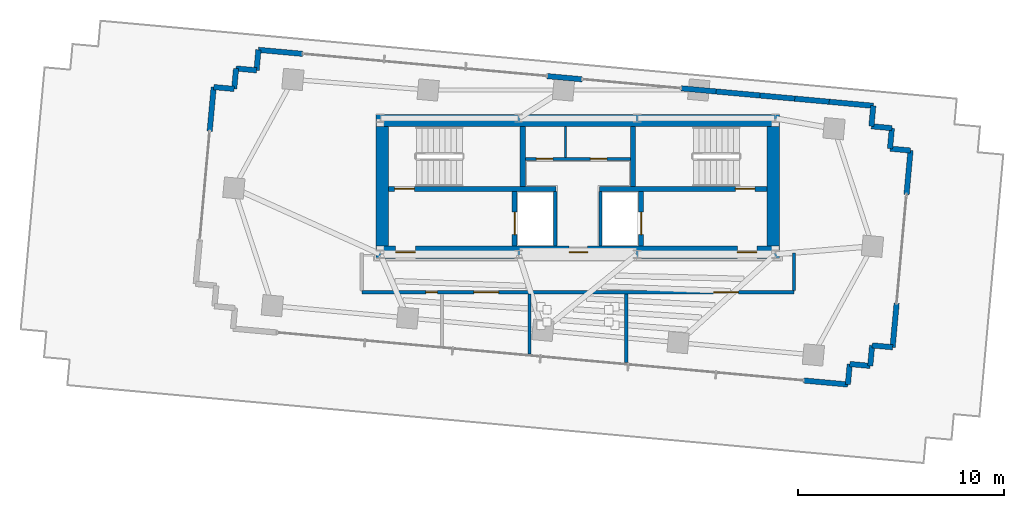
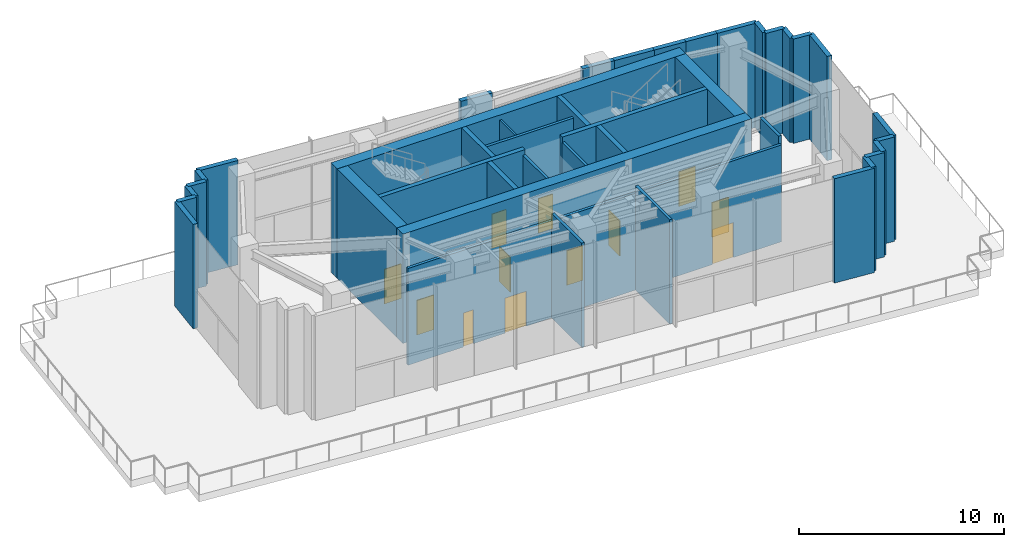
# One storey, part 12 of 18: 41 walls, 12 doors, 12 openings.
"""IFC4 building model written with IfcOpenShell, lengths in metres."""

from ifc_helpers import new_model, si_unit, direction, frame, frame_2d, origin, place, context, subcontext, project, spatial, rectangle, extrude, source, transform, mapped, material, layer, layer_set, type_object, type_shapes, element, fill, save


model = new_model("IFC4")

# Units and contexts
model_context = context("Model", 3, precision=1e-05, world=origin(), true_north=direction((0.0, 1.0)))
body_context = subcontext(model_context, "Body", "Model", "MODEL_VIEW")
ifc_project = project(units=[si_unit("LENGTHUNIT", "METRE"), si_unit("AREAUNIT", "SQUARE_METRE"), si_unit("VOLUMEUNIT", "CUBIC_METRE"), si_unit("PLANEANGLEUNIT", "RADIAN"), si_unit("MASSUNIT", "GRAM", prefix="KILO")], contexts=[model_context])

# Site, building, storey
site_placement = place(None, origin())
site = spatial("IfcSite", under=ifc_project, at=site_placement, CompositionType="ELEMENT")
building_placement = place(site_placement, origin())
building = spatial("IfcBuilding", under=site, at=building_placement, Name="Astriad Promenade Condominiums", CompositionType="ELEMENT")
storey_placement = place(building_placement, frame((0.0, 0.0, 264.300048828125)))
storey = spatial("IfcBuildingStorey", under=building, at=storey_placement, Name="L76", CompositionType="ELEMENT", Elevation=264.300048828125)

# Wall, openings, doors
ifc_material_1 = material(Name="Concrete C50/60", Category="concrete")
ifc_layer_1 = layer(ifc_material_1, 0.60009765625)
ifc_layer_set_1 = layer_set([ifc_layer_1], Name="Concrete C50/60")
wall_type_1 = type_object("IfcWallType", Name="CW-SHEAR-600", PredefinedType="SHEAR", material=ifc_layer_set_1)
wall_1_placement = place(storey_placement, frame((26.199951171875, 17.5, 0.0), z_axis=(0.0, 0.0, 1.0), x_axis=(1.0, 0.0, 0.0)))
wall_1 = element("IfcWall", 1, at=wall_1_placement, inside=storey, type_object=wall_type_1, Name="CW-CORE-S-L76", PredefinedType="SHEAR", context=body_context, shape_type="SweptSolid", body=[
    extrude(rectangle(XDim=19.60009765625, YDim=0.60009765625, at=frame_2d((9.800048828125, 0.0))), origin(), (0.0, 0.0, 1.0), 6.5),
])
opening_1_placement = place(wall_1_placement, frame((0.949951171875, 0.0, 0.0)))
opening_1 = element("IfcOpeningElement", 2, at=opening_1_placement, cuts=wall_1, Name="Opening FD90-ST-095", PredefinedType="OPENING", context=body_context, shape_type="SweptSolid", body=[
    extrude(rectangle(XDim=0.949951171875, YDim=2.06005859375, at=frame_2d((0.47509765625, 1.030029296875))), frame((0.0, 0.31005859375, 0.0), z_axis=(0.0, -1.0, 0.0), x_axis=(1.0, 0.0, 0.0)), (0.0, 0.0, 1.0), 0.6201171875),
])
opening_2_placement = place(wall_1_placement, frame((9.3798828125, 0.0, 0.0)))
opening_2 = element("IfcOpeningElement", 3, at=opening_2_placement, cuts=wall_1, Name="Opening FD60-CSL-090", PredefinedType="OPENING", context=body_context, shape_type="SweptSolid", body=[
    extrude(rectangle(XDim=0.89990234375, YDim=2.06005859375, at=frame_2d((0.449951171875, 1.030029296875))), frame((0.0, 0.31005859375, 0.0), z_axis=(0.0, -1.0, 0.0), x_axis=(1.0, 0.0, 0.0)), (0.0, 0.0, 1.0), 0.6201171875),
])
opening_3_placement = place(wall_1_placement, frame((17.550048828125, 0.0, 0.0)))
opening_3 = element("IfcOpeningElement", 4, at=opening_3_placement, cuts=wall_1, Name="Opening FD90-ST-095", PredefinedType="OPENING", context=body_context, shape_type="SweptSolid", body=[
    extrude(rectangle(XDim=0.949951171875, YDim=2.06005859375, at=frame_2d((0.47509765625, 1.030029296875))), frame((0.0, 0.31005859375, 0.0), z_axis=(0.0, -1.0, 0.0), x_axis=(1.0, 0.0, 0.0)), (0.0, 0.0, 1.0), 0.6201171875),
])
ifc_material_2 = material(Name="Fire-Rated Hollow Metal Stair Door")
door_type_1 = type_object("IfcDoorType", Name="FD90-ST-095", OperationType="NOTDEFINED", PredefinedType="DOOR", material=ifc_material_2)
shared_shape_1 = source(origin(), body_context, "Body", "SweptSolid", [
    extrude(rectangle(XDim=0.949951171875, YDim=2.06005859375, at=frame_2d((0.47509765625, 1.030029296875))), frame((0.0, 0.02490234375, 0.0), z_axis=(0.0, -1.0, 0.0), x_axis=(1.0, 0.0, 0.0)), (0.0, 0.0, 1.0), 0.050048828125),
])
type_shapes(door_type_1, [shared_shape_1])
door_1_placement = place(opening_1_placement, origin())
door_1 = element("IfcDoor", 5, at=door_1_placement, inside=storey, type_object=door_type_1, Name="D-FFW-L76", OperationType="SINGLE_SWING_LEFT", OverallHeight=2.06005859375, OverallWidth=0.949951171875, PredefinedType="DOOR", context=body_context, shape_type="MappedRepresentation", body=[
    mapped(shared_shape_1, transform((0.0, 0.0, 0.0), scale=1.0)),
])
fill(opening_1, door_1)
door_2_placement = place(opening_3_placement, origin())
door_2 = element("IfcDoor", 6, at=door_2_placement, inside=storey, type_object=door_type_1, Name="D-FFE-L76", OperationType="SINGLE_SWING_RIGHT", OverallHeight=2.06005859375, OverallWidth=0.949951171875, PredefinedType="DOOR", context=body_context, shape_type="MappedRepresentation", body=[
    mapped(shared_shape_1, transform((0.0, 0.0, 0.0), scale=1.0)),
])
fill(opening_3, door_2)
ifc_material_3 = material(Name="Fire-Rated Service Lobby Door")
door_type_2 = type_object("IfcDoorType", Name="FD60-CSL-090", OperationType="NOTDEFINED", PredefinedType="DOOR", material=ifc_material_3)
shared_shape_2 = source(origin(), body_context, "Body", "SweptSolid", [
    extrude(rectangle(XDim=0.89990234375, YDim=2.06005859375, at=frame_2d((0.449951171875, 1.030029296875))), frame((0.0, 0.02490234375, 0.0), z_axis=(0.0, -1.0, 0.0), x_axis=(1.0, 0.0, 0.0)), (0.0, 0.0, 1.0), 0.050048828125),
])
type_shapes(door_type_2, [shared_shape_2])
door_3_placement = place(opening_2_placement, origin())
door_3 = element("IfcDoor", 7, at=door_3_placement, inside=storey, type_object=door_type_2, Name="D-CSL-L76", OperationType="SINGLE_SWING_RIGHT", OverallHeight=2.06005859375, OverallWidth=0.89990234375, PredefinedType="DOOR", context=body_context, shape_type="MappedRepresentation", body=[
    mapped(shared_shape_2, transform((0.0, 0.0, 0.0), scale=1.0)),
])
fill(opening_2, door_3)

# Walls
wall_2_placement = place(storey_placement, frame((26.199951171875, 23.89990234375, 0.0), z_axis=(0.0, 0.0, 1.0), x_axis=(1.0, 0.0, 0.0)))
element("IfcWall", 8, at=wall_2_placement, inside=storey, type_object=wall_type_1, Name="CW-CORE-N-L76", PredefinedType="SHEAR", context=body_context, shape_type="SweptSolid", body=[
    extrude(rectangle(XDim=19.60009765625, YDim=0.60009765625, at=frame_2d((9.800048828125, 0.0))), origin(), (0.0, 0.0, 1.0), 6.5),
])
for number, where, z_axis, x_axis, name in (
    (9, (26.5, 17.802001953125, 0.0), (0.0, 0.0, 1.0), (0.0, 1.0, 0.0), "CW-CORE-W-L76"),
    (10, (45.5, 17.802001953125, 0.0), (0.0, 0.0, 1.0), (0.0, 1.0, 0.0), "CW-CORE-E-L76"),
):
    element("IfcWall", number, at=place(storey_placement, frame(where, z_axis=z_axis, x_axis=x_axis)), inside=storey, type_object=wall_type_1, Name=name, PredefinedType="SHEAR", context=body_context, shape_type="SweptSolid", body=[
        extrude(rectangle(XDim=5.7958984375, YDim=0.60009765625, at=frame_2d((2.89794921875, 0.0))), origin(), (0.0, 0.0, 1.0), 6.5),
    ])

# Wall, opening, door
ifc_layer_2 = layer(ifc_material_1, 0.25)
ifc_layer_set_2 = layer_set([ifc_layer_2], Name="Concrete C50/60")
wall_type_2 = type_object("IfcWallType", Name="WALL-CORE-INT-250", PredefinedType="SOLIDWALL", material=ifc_layer_set_2)
wall_3_placement = place(storey_placement, frame((26.802001953125, 20.574951171875, 0.0), z_axis=(0.0, 0.0, 1.0), x_axis=(1.0, 0.0, 0.0)))
wall_3 = element("IfcWall", 11, at=wall_3_placement, inside=storey, type_object=wall_type_2, Name="CW-INT-H1-L76", PredefinedType="SOLIDWALL", context=body_context, shape_type="SweptSolid", body=[
    extrude(rectangle(XDim=8.14794921875, YDim=0.25, at=frame_2d((4.073974609375, 0.0))), origin(), (0.0, 0.0, 1.0), 6.5),
])
opening_4_placement = place(wall_3_placement, frame((0.298095703125, 0.0, 0.0)))
opening_4 = element("IfcOpeningElement", 12, at=opening_4_placement, cuts=wall_3, Name="Opening FD90-ST-095", PredefinedType="OPENING", context=body_context, shape_type="SweptSolid", body=[
    extrude(rectangle(XDim=0.949951171875, YDim=2.06005859375, at=frame_2d((0.47509765625, 1.030029296875))), frame((0.0, 0.135009765625, 0.0), z_axis=(0.0, -1.0, 0.0), x_axis=(1.0, 0.0, 0.0)), (0.0, 0.0, 1.0), 0.27001953125),
])
door_4_placement = place(opening_4_placement, origin())
door_4 = element("IfcDoor", 13, at=door_4_placement, inside=storey, type_object=door_type_1, Name="D-ST1-L76", OperationType="SINGLE_SWING_LEFT", OverallHeight=2.06005859375, OverallWidth=0.949951171875, PredefinedType="DOOR", context=body_context, shape_type="MappedRepresentation", body=[
    mapped(shared_shape_1, transform((0.0, 0.0, 0.0), scale=1.0)),
])
fill(opening_4, door_4)

wall_4_placement = place(storey_placement, frame((37.050048828125, 20.574951171875, 0.0), z_axis=(0.0, 0.0, 1.0), x_axis=(1.0, 0.0, 0.0)))
wall_4 = element("IfcWall", 14, at=wall_4_placement, inside=storey, type_object=wall_type_2, Name="CW-INT-H2-L76", PredefinedType="SOLIDWALL", context=body_context, shape_type="SweptSolid", body=[
    extrude(rectangle(XDim=8.14794921875, YDim=0.25, at=frame_2d((4.073974609375, 0.0))), origin(), (0.0, 0.0, 1.0), 6.5),
])
opening_5_placement = place(wall_4_placement, frame((6.60009765625, 0.0, 0.0)))
opening_5 = element("IfcOpeningElement", 15, at=opening_5_placement, cuts=wall_4, Name="Opening FD90-ST-095", PredefinedType="OPENING", context=body_context, shape_type="SweptSolid", body=[
    extrude(rectangle(XDim=0.949951171875, YDim=2.06005859375, at=frame_2d((0.47509765625, 1.030029296875))), frame((0.0, 0.135009765625, 0.0), z_axis=(0.0, -1.0, 0.0), x_axis=(1.0, 0.0, 0.0)), (0.0, 0.0, 1.0), 0.27001953125),
])
door_5_placement = place(opening_5_placement, origin())
door_5 = element("IfcDoor", 16, at=door_5_placement, inside=storey, type_object=door_type_1, Name="D-ST2-L76", OperationType="SINGLE_SWING_RIGHT", OverallHeight=2.06005859375, OverallWidth=0.949951171875, PredefinedType="DOOR", context=body_context, shape_type="MappedRepresentation", body=[
    mapped(shared_shape_1, transform((0.0, 0.0, 0.0), scale=1.0)),
])
fill(opening_5, door_5)

# Walls
for number, where, z_axis, x_axis, name in (
    (17, (33.324951171875, 20.701904296875, 0.0), (0.0, 0.0, 1.0), (0.0, 1.0, 0.0), "CW-ST1-E-L76"),
    (18, (38.675048828125, 20.701904296875, 0.0), (0.0, 0.0, 1.0), (0.0, 1.0, 0.0), "CW-ST2-W-L76"),
):
    element("IfcWall", number, at=place(storey_placement, frame(where, z_axis=z_axis, x_axis=x_axis)), inside=storey, type_object=wall_type_2, Name=name, PredefinedType="SOLIDWALL", context=body_context, shape_type="SweptSolid", body=[
        extrude(rectangle(XDim=2.89599609375, YDim=0.25, at=frame_2d((1.447998046875, 0.0))), origin(), (0.0, 0.0, 1.0), 6.5),
    ])

# Wall, opening, door
wall_5_placement = place(storey_placement, frame((32.925048828125, 17.802001953125, 0.0), z_axis=(0.0, 0.0, 1.0), x_axis=(0.0, 1.0, 0.0)))
wall_5 = element("IfcWall", 19, at=wall_5_placement, inside=storey, type_object=wall_type_2, Name="CW-FFL1-W-L76", PredefinedType="SOLIDWALL", context=body_context, shape_type="SweptSolid", body=[
    extrude(rectangle(XDim=2.64599609375, YDim=0.25, at=frame_2d((1.322998046875, 0.0))), origin(), (0.0, 0.0, 1.0), 6.5),
])
opening_6_placement = place(wall_5_placement, frame((0.548095703125, 0.0, 0.0)))
opening_6 = element("IfcOpeningElement", 20, at=opening_6_placement, cuts=wall_5, Name="Opening LD-FFL-1122", PredefinedType="OPENING", context=body_context, shape_type="SweptSolid", body=[
    extrude(rectangle(XDim=1.10009765625, YDim=2.080078125, at=frame_2d((0.550048828125, 1.0400390625))), frame((0.0, 0.135009765625, 0.0), z_axis=(0.0, -1.0, 0.0), x_axis=(1.0, 0.0, 0.0)), (0.0, 0.0, 1.0), 0.27001953125),
])
ifc_material_4 = material(Name="Brushed Stainless Steel Fire Elevator Landing Door", Category="steel")
door_type_3 = type_object("IfcDoorType", Name="LD-FFL-1122", OperationType="NOTDEFINED", PredefinedType="DOOR", material=ifc_material_4)
shared_shape_3 = source(origin(), body_context, "Body", "SweptSolid", [
    extrude(rectangle(XDim=1.10009765625, YDim=2.080078125, at=frame_2d((0.550048828125, 1.0400390625))), frame((0.0, 0.02490234375, 0.0), z_axis=(0.0, -1.0, 0.0), x_axis=(1.0, 0.0, 0.0)), (0.0, 0.0, 1.0), 0.050048828125),
])
type_shapes(door_type_3, [shared_shape_3])
door_6_placement = place(opening_6_placement, origin())
door_6 = element("IfcDoor", 21, at=door_6_placement, inside=storey, type_object=door_type_3, Name="Elevator Landing Door FFL-1 (L76)", OperationType="SLIDING_TO_LEFT", OverallHeight=2.080078125, OverallWidth=1.10009765625, PredefinedType="DOOR", context=body_context, shape_type="MappedRepresentation", body=[
    mapped(shared_shape_3, transform((0.0, 0.0, 0.0), scale=1.0)),
])
fill(opening_6, door_6)

wall_6_placement = place(storey_placement, frame((39.074951171875, 17.802001953125, 0.0), z_axis=(0.0, 0.0, 1.0), x_axis=(0.0, 1.0, 0.0)))
wall_6 = element("IfcWall", 22, at=wall_6_placement, inside=storey, type_object=wall_type_2, Name="CW-FFL2-E-L76", PredefinedType="SOLIDWALL", context=body_context, shape_type="SweptSolid", body=[
    extrude(rectangle(XDim=2.64599609375, YDim=0.25, at=frame_2d((1.322998046875, 0.0))), origin(), (0.0, 0.0, 1.0), 6.5),
])
opening_7_placement = place(wall_6_placement, frame((0.548095703125, 0.0, 0.0)))
opening_7 = element("IfcOpeningElement", 23, at=opening_7_placement, cuts=wall_6, Name="Opening LD-FFL-1122", PredefinedType="OPENING", context=body_context, shape_type="SweptSolid", body=[
    extrude(rectangle(XDim=1.10009765625, YDim=2.080078125, at=frame_2d((0.550048828125, 1.0400390625))), frame((0.0, 0.135009765625, 0.0), z_axis=(0.0, -1.0, 0.0), x_axis=(1.0, 0.0, 0.0)), (0.0, 0.0, 1.0), 0.27001953125),
])
door_7_placement = place(opening_7_placement, origin())
door_7 = element("IfcDoor", 24, at=door_7_placement, inside=storey, type_object=door_type_3, Name="Elevator Landing Door FFL-2 (L76)", OperationType="SLIDING_TO_RIGHT", OverallHeight=2.080078125, OverallWidth=1.10009765625, PredefinedType="DOOR", context=body_context, shape_type="MappedRepresentation", body=[
    mapped(shared_shape_3, transform((0.0, 0.0, 0.0), scale=1.0)),
])
fill(opening_7, door_7)

# Walls
ifc_material_5 = material(Name="Fire-Rated Gypsum Partition")
ifc_layer_3 = layer(ifc_material_5, 0.159912109375)
ifc_layer_set_3 = layer_set([ifc_layer_3], Name="Fire-Rated Gypsum Partition")
wall_type_3 = type_object("IfcWallType", Name="WALL-CORR-160", PredefinedType="PARTITIONING", material=ifc_layer_set_3)
for number, where, z_axis, x_axis, name in (
    (25, (34.89990234375, 17.802001953125, 0.0), (0.0, 0.0, 1.0), (0.0, 1.0, 0.0), "CW-FFL1-E-L76"),
    (26, (37.10009765625, 17.802001953125, 0.0), (0.0, 0.0, 1.0), (0.0, 1.0, 0.0), "CW-FFL2-W-L76"),
):
    element("IfcWall", number, at=place(storey_placement, frame(where, z_axis=z_axis, x_axis=x_axis)), inside=storey, type_object=wall_type_3, Name=name, PredefinedType="PARTITIONING", context=body_context, shape_type="SweptSolid", body=[
        extrude(rectangle(XDim=2.64599609375, YDim=0.159912109375, at=frame_2d((1.322998046875, 0.0))), origin(), (0.0, 0.0, 1.0), 6.199951171875),
    ])

# Wall, openings, doors
wall_7_placement = place(storey_placement, frame((33.451904296875, 22.030029296875, 0.0), z_axis=(0.0, 0.0, 1.0), x_axis=(1.0, 0.0, 0.0)))
wall_7 = element("IfcWall", 27, at=wall_7_placement, inside=storey, type_object=wall_type_3, Name="CW-AUX-N-L76", PredefinedType="PARTITIONING", context=body_context, shape_type="SweptSolid", body=[
    extrude(rectangle(XDim=5.09619140625, YDim=0.159912109375, at=frame_2d((2.548095703125, 0.0))), origin(), (0.0, 0.0, 1.0), 6.199951171875),
])
opening_8_placement = place(wall_7_placement, frame((0.5380859375, 0.0, 0.0)))
opening_8 = element("IfcOpeningElement", 28, at=opening_8_placement, cuts=wall_7, Name="Opening FD60-SV-080", PredefinedType="OPENING", context=body_context, shape_type="SweptSolid", body=[
    extrude(rectangle(XDim=0.800048828125, YDim=2.050048828125, at=frame_2d((0.39990234375, 1.02490234375))), frame((0.0, 0.08984375, 0.0), z_axis=(0.0, -1.0, 0.0), x_axis=(1.0, 0.0, 0.0)), (0.0, 0.0, 1.0), 0.179931640625),
])
opening_9_placement = place(wall_7_placement, frame((3.157958984375, 0.0, 0.0)))
opening_9 = element("IfcOpeningElement", 29, at=opening_9_placement, cuts=wall_7, Name="Opening FD60-SV-080", PredefinedType="OPENING", context=body_context, shape_type="SweptSolid", body=[
    extrude(rectangle(XDim=0.800048828125, YDim=2.050048828125, at=frame_2d((0.39990234375, 1.02490234375))), frame((0.0, 0.08984375, 0.0), z_axis=(0.0, -1.0, 0.0), x_axis=(1.0, 0.0, 0.0)), (0.0, 0.0, 1.0), 0.179931640625),
])
ifc_material_6 = material(Name="Fire-Rated Riser Closet Door")
door_type_4 = type_object("IfcDoorType", Name="FD60-SV-080", OperationType="NOTDEFINED", PredefinedType="DOOR", material=ifc_material_6)
shared_shape_4 = source(origin(), body_context, "Body", "SweptSolid", [
    extrude(rectangle(XDim=0.800048828125, YDim=2.050048828125, at=frame_2d((0.39990234375, 1.02490234375))), frame((0.0, 0.02490234375, 0.0), z_axis=(0.0, -1.0, 0.0), x_axis=(1.0, 0.0, 0.0)), (0.0, 0.0, 1.0), 0.050048828125),
])
type_shapes(door_type_4, [shared_shape_4])
door_8_placement = place(opening_8_placement, origin())
door_8 = element("IfcDoor", 30, at=door_8_placement, inside=storey, type_object=door_type_4, Name="D-AUX1-L76", OperationType="SINGLE_SWING_LEFT", OverallHeight=2.050048828125, OverallWidth=0.800048828125, PredefinedType="DOOR", context=body_context, shape_type="MappedRepresentation", body=[
    mapped(shared_shape_4, transform((0.0, 0.0, 0.0), scale=1.0)),
])
fill(opening_8, door_8)
door_9_placement = place(opening_9_placement, origin())
door_9 = element("IfcDoor", 31, at=door_9_placement, inside=storey, type_object=door_type_4, Name="D-AUX2-L76", OperationType="SINGLE_SWING_RIGHT", OverallHeight=2.050048828125, OverallWidth=0.800048828125, PredefinedType="DOOR", context=body_context, shape_type="MappedRepresentation", body=[
    mapped(shared_shape_4, transform((0.0, 0.0, 0.0), scale=1.0)),
])
fill(opening_9, door_9)

wall_8_placement = place(storey_placement, frame((25.5, 15.550048828125, 0.0), z_axis=(0.0, 0.0, 1.0), x_axis=(1.0, 0.0, 0.0)))
wall_8 = element("IfcWall", 32, at=wall_8_placement, inside=storey, type_object=wall_type_3, Name="PT-L76-CS", PredefinedType="PARTITIONING", context=body_context, shape_type="SweptSolid", body=[
    extrude(rectangle(XDim=21.0, YDim=0.159912109375, at=frame_2d((10.5, 0.0))), origin(), (0.0, 0.0, 1.0), 5.75634765625),
])
opening_10_placement = place(wall_8_placement, frame((3.1201171875, 0.0, 0.0)))
opening_10 = element("IfcOpeningElement", 33, at=opening_10_placement, cuts=wall_8, Name="Opening FD60-AC-055", PredefinedType="OPENING", context=body_context, shape_type="SweptSolid", body=[
    extrude(rectangle(XDim=0.550048828125, YDim=2.02001953125, at=frame_2d((0.27490234375, 1.010009765625))), frame((0.0, 0.08984375, 0.0), z_axis=(0.0, -1.0, 0.0), x_axis=(1.0, 0.0, 0.0)), (0.0, 0.0, 1.0), 0.179931640625),
])
opening_11_placement = place(wall_8_placement, frame((5.449951171875, 0.0, 0.0)))
opening_11 = element("IfcOpeningElement", 34, at=opening_11_placement, cuts=wall_8, Name="Opening FD90-PLT-1222", PredefinedType="OPENING", context=body_context, shape_type="SweptSolid", body=[
    extrude(rectangle(XDim=1.199951171875, YDim=2.080078125, at=frame_2d((0.60009765625, 1.0400390625))), frame((0.0, 0.08984375, 0.0), z_axis=(0.0, -1.0, 0.0), x_axis=(1.0, 0.0, 0.0)), (0.0, 0.0, 1.0), 0.179931640625),
])
opening_12_placement = place(wall_8_placement, frame((17.10009765625, 0.0, 0.0)))
opening_12 = element("IfcOpeningElement", 35, at=opening_12_placement, cuts=wall_8, Name="Opening FD90-PLT-1222", PredefinedType="OPENING", context=body_context, shape_type="SweptSolid", body=[
    extrude(rectangle(XDim=1.199951171875, YDim=2.080078125, at=frame_2d((0.60009765625, 1.0400390625))), frame((0.0, 0.08984375, 0.0), z_axis=(0.0, -1.0, 0.0), x_axis=(1.0, 0.0, 0.0)), (0.0, 0.0, 1.0), 0.179931640625),
])
ifc_material_7 = material(Name="Fire-Rated Double-Insulated Plant Door")
door_type_5 = type_object("IfcDoorType", Name="FD90-PLT-1222", OperationType="NOTDEFINED", PredefinedType="DOOR", material=ifc_material_7)
shared_shape_5 = source(origin(), body_context, "Body", "SweptSolid", [
    extrude(rectangle(XDim=1.199951171875, YDim=2.080078125, at=frame_2d((0.60009765625, 1.0400390625))), frame((0.0, 0.02490234375, 0.0), z_axis=(0.0, -1.0, 0.0), x_axis=(1.0, 0.0, 0.0)), (0.0, 0.0, 1.0), 0.050048828125),
])
type_shapes(door_type_5, [shared_shape_5])
door_10_placement = place(opening_11_placement, origin())
door_10 = element("IfcDoor", 36, at=door_10_placement, inside=storey, type_object=door_type_5, Name="D-L76-PC", OperationType="SINGLE_SWING_RIGHT", OverallHeight=2.080078125, OverallWidth=1.199951171875, PredefinedType="DOOR", context=body_context, shape_type="MappedRepresentation", body=[
    mapped(shared_shape_5, transform((0.0, 0.0, 0.0), scale=1.0)),
])
fill(opening_11, door_10)
door_11_placement = place(opening_12_placement, origin())
door_11 = element("IfcDoor", 37, at=door_11_placement, inside=storey, type_object=door_type_5, Name="D-L76-PE", OperationType="SINGLE_SWING_LEFT", OverallHeight=2.080078125, OverallWidth=1.199951171875, PredefinedType="DOOR", context=body_context, shape_type="MappedRepresentation", body=[
    mapped(shared_shape_5, transform((0.0, 0.0, 0.0), scale=1.0)),
])
fill(opening_12, door_11)
ifc_material_8 = material(Name="Fire-Rated Duct Access Door")
door_type_6 = type_object("IfcDoorType", Name="FD60-AC-055", OperationType="NOTDEFINED", PredefinedType="DOOR", material=ifc_material_8)
shared_shape_6 = source(origin(), body_context, "Body", "SweptSolid", [
    extrude(rectangle(XDim=0.550048828125, YDim=2.02001953125, at=frame_2d((0.27490234375, 1.010009765625))), frame((0.0, 0.02490234375, 0.0), z_axis=(0.0, -1.0, 0.0), x_axis=(1.0, 0.0, 0.0)), (0.0, 0.0, 1.0), 0.050048828125),
])
type_shapes(door_type_6, [shared_shape_6])
door_12_placement = place(opening_10_placement, origin())
door_12 = element("IfcDoor", 38, at=door_12_placement, inside=storey, type_object=door_type_6, Name="D-L76-PW", OperationType="SINGLE_SWING_LEFT", OverallHeight=2.02001953125, OverallWidth=0.550048828125, PredefinedType="DOOR", context=body_context, shape_type="MappedRepresentation", body=[
    mapped(shared_shape_6, transform((0.0, 0.0, 0.0), scale=1.0)),
])
fill(opening_10, door_12)

# Walls
wall_9_placement = place(storey_placement, frame((46.5, 15.632080078125, 0.0), z_axis=(0.0, 0.0, 1.0), x_axis=(0.0, 1.0, 0.0)))
element("IfcWall", 39, at=wall_9_placement, inside=storey, type_object=wall_type_3, Name="PT-L76-CESP", PredefinedType="PARTITIONING", context=body_context, shape_type="SweptSolid", body=[
    extrude(rectangle(XDim=1.81787109375, YDim=0.159912109375, at=frame_2d((0.908935546875, 0.0))), origin(), (0.0, 0.0, 1.0), 6.199951171875),
])
wall_10_placement = place(storey_placement, frame((38.35009765625, 12.129150390625, 0.0), z_axis=(0.0, 0.0, 1.0), x_axis=(0.0, 1.0, 0.0)))
element("IfcWall", 40, at=wall_10_placement, inside=storey, type_object=wall_type_3, Name="PT-L76-VE", PredefinedType="PARTITIONING", context=body_context, shape_type="SweptSolid", body=[
    extrude(rectangle(XDim=3.3388671875, YDim=0.159912109375, at=frame_2d((1.66943359375, 0.0))), origin(), (0.0, 0.0, 1.0), 6.199951171875),
])
wall_11_placement = place(storey_placement, frame((33.64990234375, 12.556884765625, 0.0), z_axis=(0.0, 0.0, 1.0), x_axis=(0.0, 1.0, 0.0)))
element("IfcWall", 41, at=wall_11_placement, inside=storey, type_object=wall_type_3, Name="PT-L76-TMDW", PredefinedType="PARTITIONING", context=body_context, shape_type="SweptSolid", body=[
    extrude(rectangle(XDim=2.9111328125, YDim=0.159912109375, at=frame_2d((1.45556640625, 0.0))), origin(), (0.0, 0.0, 1.0), 6.199951171875),
])
ifc_material_9 = material(Name="Precast concrete C50/60", Category="concrete")
ifc_layer_4 = layer(ifc_material_9, 0.260009765625)
ifc_layer_set_4 = layer_set([ifc_layer_4], Name="Precast concrete C50/60")
wall_type_4 = type_object("IfcWallType", Name="WALL-EXT-TWR-260", PredefinedType="STANDARD", material=ifc_layer_set_4)
wall_12_placement = place(storey_placement, frame((18.110107421875, 23.3798828125, 0.0), z_axis=(0.0, 0.0, 1.0), x_axis=(0.090617654952, 0.995885756807, 0.0)))
element("IfcWall", 42, at=wall_12_placement, inside=storey, type_object=wall_type_4, Name="W-LNT-L76-03B", PredefinedType="STANDARD", context=body_context, shape_type="SweptSolid", body=[
    extrude(rectangle(XDim=2.14990234375, YDim=0.260009765625, at=frame_2d((1.074951171875, 0.0))), origin(), (0.0, 0.0, 1.0), 6.199951171875),
])
for number, where, z_axis, x_axis, name in (
    (43, (18.304931640625, 25.52099609375, 0.0), (0.0, 0.0, 1.0), (0.99588920303, -0.090579773063, 0.0), "W-LNT-L76-04"),
    (44, (19.30078125, 25.430419921875, 0.0), (0.0, 0.0, 1.0), (0.090821912176, 0.995867149909, 0.0), "W-LNT-L76-05"),
    (45, (19.3916015625, 26.42626953125, 0.0), (0.0, 0.0, 1.0), (0.99588920303, -0.090579773063, 0.0), "W-LNT-L76-06"),
    (46, (20.387451171875, 26.335693359375, 0.0), (0.0, 0.0, 1.0), (0.090579773063, 0.99588920303, 0.0), "W-LNT-L76-07"),
):
    element("IfcWall", number, at=place(storey_placement, frame(where, z_axis=z_axis, x_axis=x_axis)), inside=storey, type_object=wall_type_4, Name=name, PredefinedType="STANDARD", context=body_context, shape_type="SweptSolid", body=[
        extrude(rectangle(XDim=1.0, YDim=0.260009765625, at=frame_2d((0.5, 0.0))), origin(), (0.0, 0.0, 1.0), 6.199951171875),
    ])
for number, where, z_axis, x_axis, name in (
    (47, (20.47802734375, 27.33154296875, 0.0), (0.0, 0.0, 1.0), (0.995885756807, -0.090617654952, 0.0), "W-LNT-L76-08A"),
    (48, (48.21337890625, 24.807373046875, 0.0), (0.0, 0.0, 1.0), (0.995885756807, -0.090617654952, 0.0), "W-LNT-L76-08B"),
):
    element("IfcWall", number, at=place(storey_placement, frame(where, z_axis=z_axis, x_axis=x_axis)), inside=storey, type_object=wall_type_4, Name=name, PredefinedType="STANDARD", context=body_context, shape_type="SweptSolid", body=[
        extrude(rectangle(XDim=2.14990234375, YDim=0.260009765625, at=frame_2d((1.074951171875, 0.0))), origin(), (0.0, 0.0, 1.0), 6.199951171875),
    ])
for number, where, z_axis, x_axis, name in (
    (49, (34.50830078125, 26.0546875, 0.0), (0.0, 0.0, 1.0), (0.995871989122, -0.090768834313, 0.0), "W-LNTC-L76-08-127"),
    (50, (41.027099609375, 25.461181640625, 0.0), (0.0, 0.0, 1.0), (0.995897914147, -0.090483946627, 0.0), "W-LNTC-L76-08-193"),
):
    element("IfcWall", number, at=place(storey_placement, frame(where, z_axis=z_axis, x_axis=x_axis)), inside=storey, type_object=wall_type_4, Name=name, PredefinedType="STANDARD", context=body_context, shape_type="SweptSolid", body=[
        extrude(rectangle(XDim=1.699951171875, YDim=0.260009765625, at=frame_2d((0.85009765625, 0.0))), origin(), (0.0, 0.0, 1.0), 6.199951171875),
    ])
wall_13_placement = place(storey_placement, frame((42.719970703125, 25.307373046875, 0.0), z_axis=(0.0, 0.0, 1.0), x_axis=(0.995876331405, -0.090721180259, 0.0)))
element("IfcWall", 51, at=wall_13_placement, inside=storey, type_object=wall_type_4, Name="W-LNTFILL-L76-08-201", PredefinedType="STANDARD", context=body_context, shape_type="SweptSolid", body=[
    extrude(rectangle(XDim=2.13671875, YDim=0.260009765625, at=frame_2d((1.068359375, 0.0))), origin(), (0.0, 0.0, 1.0), 6.199951171875),
])
wall_14_placement = place(storey_placement, frame((44.847900390625, 25.113525390625, 0.0), z_axis=(0.0, 0.0, 1.0), x_axis=(0.995884961653, -0.090626393251, 0.0)))
element("IfcWall", 52, at=wall_14_placement, inside=storey, type_object=wall_type_4, Name="W-LNTC-L76-08-231", PredefinedType="STANDARD", context=body_context, shape_type="SweptSolid", body=[
    extrude(rectangle(XDim=1.699951171875, YDim=0.260009765625, at=frame_2d((0.85009765625, 0.0))), origin(), (0.0, 0.0, 1.0), 6.199951171875),
])
wall_15_placement = place(storey_placement, frame((46.540771484375, 24.95947265625, 0.0), z_axis=(0.0, 0.0, 1.0), x_axis=(0.995890823101, -0.090561959246, 0.0)))
element("IfcWall", 53, at=wall_15_placement, inside=storey, type_object=wall_type_4, Name="W-LNTFILL-L76-08-240", PredefinedType="STANDARD", context=body_context, shape_type="SweptSolid", body=[
    extrude(rectangle(XDim=1.679443359375, YDim=0.260009765625, at=frame_2d((0.83984375, 0.0))), origin(), (0.0, 0.0, 1.0), 6.199951171875),
])
for number, where, z_axis, x_axis, name in (
    (54, (50.3544921875, 24.612548828125, 0.0), (0.0, 0.0, 1.0), (-0.090579773063, -0.99588920303, 0.0), "W-LNT-L76-09"),
    (55, (50.263916015625, 23.61669921875, 0.0), (0.0, 0.0, 1.0), (0.995867149909, -0.090821912176, 0.0), "W-LNT-L76-10"),
    (56, (51.259765625, 23.52587890625, 0.0), (0.0, 0.0, 1.0), (-0.090579773063, -0.99588920303, 0.0), "W-LNT-L76-11"),
    (57, (51.169189453125, 22.530029296875, 0.0), (0.0, 0.0, 1.0), (0.99588920303, -0.090579773063, 0.0), "W-LNT-L76-12"),
):
    element("IfcWall", number, at=place(storey_placement, frame(where, z_axis=z_axis, x_axis=x_axis)), inside=storey, type_object=wall_type_4, Name=name, PredefinedType="STANDARD", context=body_context, shape_type="SweptSolid", body=[
        extrude(rectangle(XDim=1.0, YDim=0.260009765625, at=frame_2d((0.5, 0.0))), origin(), (0.0, 0.0, 1.0), 6.199951171875),
    ])
wall_16_placement = place(storey_placement, frame((52.1650390625, 22.439453125, 0.0), z_axis=(0.0, 0.0, 1.0), x_axis=(-0.090617654952, -0.995885756807, 0.0)))
element("IfcWall", 58, at=wall_16_placement, inside=storey, type_object=wall_type_4, Name="W-LNT-L76-13A", PredefinedType="STANDARD", context=body_context, shape_type="SweptSolid", body=[
    extrude(rectangle(XDim=2.14990234375, YDim=0.260009765625, at=frame_2d((1.074951171875, 0.0))), origin(), (0.0, 0.0, 1.0), 6.199951171875),
])
wall_17_placement = place(storey_placement, frame((51.489990234375, 15.020263671875, 0.0), z_axis=(0.0, 0.0, 1.0), x_axis=(-0.090720017492, -0.995876437329, 0.0)))
element("IfcWall", 59, at=wall_17_placement, inside=storey, type_object=wall_type_4, Name="W-LNT-L76-13B", PredefinedType="STANDARD", context=body_context, shape_type="SweptSolid", body=[
    extrude(rectangle(XDim=2.150146484375, YDim=0.260009765625, at=frame_2d((1.0751953125, 0.0))), origin(), (0.0, 0.0, 1.0), 6.199951171875),
])
for number, where, z_axis, x_axis, name in (
    (60, (51.294921875, 12.87890625, 0.0), (0.0, 0.0, 1.0), (-0.99588920303, 0.090579773063, 0.0), "W-LNT-L76-14"),
    (61, (50.299072265625, 12.969482421875, 0.0), (0.0, 0.0, 1.0), (-0.090579773063, -0.99588920303, 0.0), "W-LNT-L76-15"),
    (62, (50.20849609375, 11.9736328125, 0.0), (0.0, 0.0, 1.0), (-0.995867149909, 0.090821912176, 0.0), "W-LNT-L76-16"),
    (63, (49.212646484375, 12.064453125, 0.0), (0.0, 0.0, 1.0), (-0.090579773063, -0.99588920303, 0.0), "W-LNT-L76-17"),
):
    element("IfcWall", number, at=place(storey_placement, frame(where, z_axis=z_axis, x_axis=x_axis)), inside=storey, type_object=wall_type_4, Name=name, PredefinedType="STANDARD", context=body_context, shape_type="SweptSolid", body=[
        extrude(rectangle(XDim=1.0, YDim=0.260009765625, at=frame_2d((0.5, 0.0))), origin(), (0.0, 0.0, 1.0), 6.199951171875),
    ])
wall_18_placement = place(storey_placement, frame((49.1220703125, 11.068603515625, 0.0), z_axis=(0.0, 0.0, 1.0), x_axis=(-0.99588668912, 0.090607408268, 0.0)))
element("IfcWall", 64, at=wall_18_placement, inside=storey, type_object=wall_type_4, Name="W-LNT-L76-18A", PredefinedType="STANDARD", context=body_context, shape_type="SweptSolid", body=[
    extrude(rectangle(XDim=2.150146484375, YDim=0.260009765625, at=frame_2d((1.0751953125, 0.0))), origin(), (0.0, 0.0, 1.0), 6.199951171875),
])
ifc_material_10 = material(Name="Acoustic Metal-Stud Gypsum Partition")
ifc_layer_5 = layer(ifc_material_10, 0.1201171875)
ifc_layer_set_5 = layer_set([ifc_layer_5], Name="Acoustic Metal-Stud Gypsum Partition")
wall_type_5 = type_object("IfcWallType", Name="WALL-PART-120", PredefinedType="PARTITIONING", material=ifc_layer_set_5)
wall_19_placement = place(storey_placement, frame((35.39990234375, 22.112060546875, 0.0), z_axis=(0.0, 0.0, 1.0), x_axis=(0.0, 1.0, 0.0)))
element("IfcWall", 65, at=wall_19_placement, inside=storey, type_object=wall_type_5, Name="CW-AUX-V1-L76", PredefinedType="PARTITIONING", context=body_context, shape_type="SweptSolid", body=[
    extrude(rectangle(XDim=1.48583984375, YDim=0.1201171875, at=frame_2d((0.742919921875, 0.0))), origin(), (0.0, 0.0, 1.0), 6.199951171875),
])

save(model, "model.ifc")
